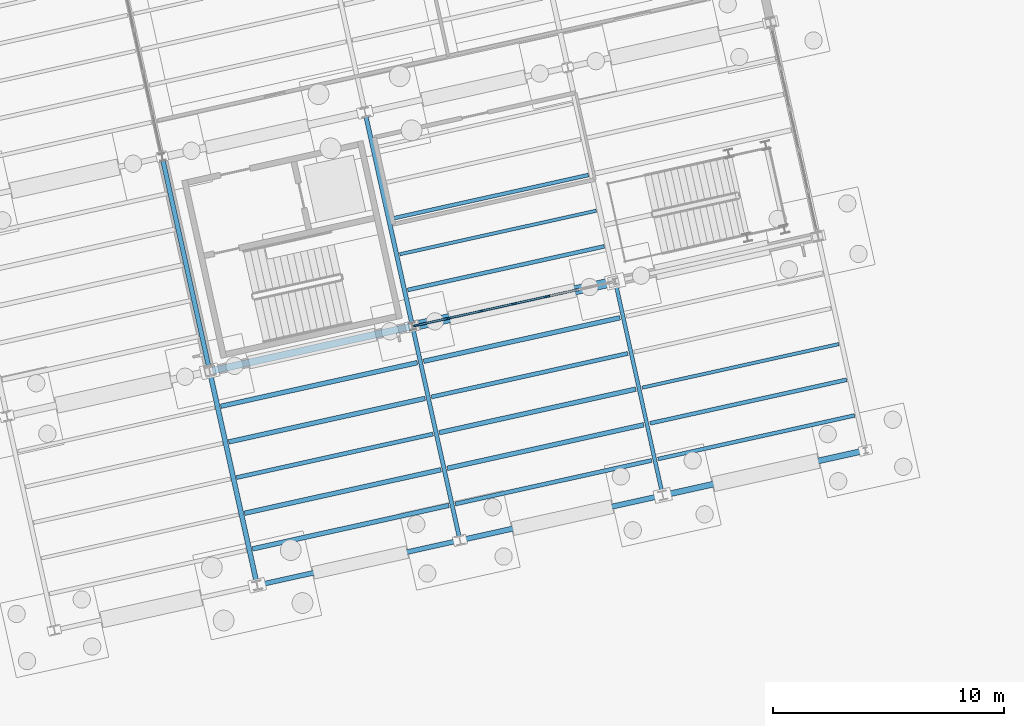
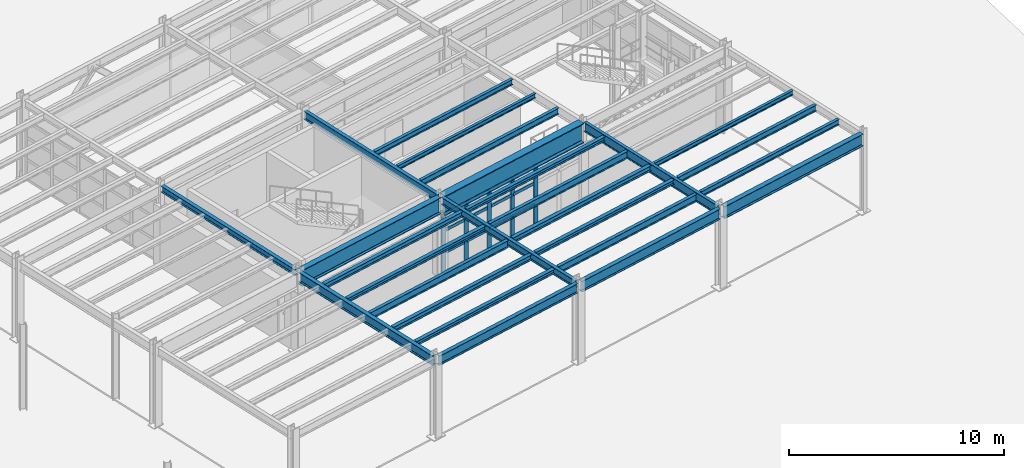
# One storey, part 57 of 108: 26 beams, 22 members, 1 element without a shape of its own.
"""IFC4 building model written with IfcOpenShell, lengths in metres."""

from ifc_helpers import new_model, si_unit, direction, frame, origin, origin_2d, place, context, subcontext, project, spatial, rectangle, i_section, extrude, material, layer, layer_set, material_profile, profile_set, type_object, element, aggregate, save


model = new_model("IFC4")

# Units and contexts
model_context = context("Model", 3, precision=1e-05, world=origin(), true_north=direction((0.0, 1.0)))
body_context = subcontext(model_context, "Body", "Model", "MODEL_VIEW")
ifc_project = project(units=[si_unit("LENGTHUNIT", "METRE"), si_unit("AREAUNIT", "SQUARE_METRE"), si_unit("VOLUMEUNIT", "CUBIC_METRE"), si_unit("PLANEANGLEUNIT", "RADIAN"), si_unit("MASSUNIT", "GRAM", prefix="KILO")], contexts=[model_context])

# Site, building, storey
site_placement = place(None, origin())
site = spatial("IfcSite", under=ifc_project, at=site_placement, CompositionType="ELEMENT")
building_placement = place(site_placement, origin())
building = spatial("IfcBuilding", under=site, at=building_placement, Name="Vireo Bluff Cable Station", CompositionType="ELEMENT")
storey_placement = place(building_placement, origin())
storey = spatial("IfcBuildingStorey", under=building, at=storey_placement, Name="L00", CompositionType="ELEMENT", Elevation=0.0)

# Beams
ifc_material_1 = material(Name="Steel ASTM A992 Gr. 50", Category="steel")
ifc_material_profile_1 = material_profile(ifc_material_1, i_section(OverallWidth=0.2041015625, OverallDepth=0.35009765625, WebThickness=0.008544921875, FlangeThickness=0.01513671875, FilletRadius=0.010009765625, at=origin_2d()), Name="W14X48")
ifc_profile_set_1 = profile_set([ifc_material_profile_1], Name="Steel ASTM A992 Gr. 50")
beam_type_1 = type_object("IfcBeamType", Name="BM-W14X48", PredefinedType="BEAM", material=ifc_profile_set_1)
beam_1_placement = place(storey_placement, frame((132.70458984375, 85.33984375, 4.364990234375), z_axis=(-0.216455863908, 0.976292404447, 0.0), x_axis=(-0.976292404447, -0.216455863908, 0.0)))
element("IfcBeam", 1, at=beam_1_placement, inside=storey, type_object=beam_type_1, Name="V2 L00 beam 376", PredefinedType="BEAM", context=body_context, shape_type="SweptSolid", body=[
    extrude(i_section(OverallWidth=0.2041015625, OverallDepth=0.35009765625, WebThickness=0.008544921875, FlangeThickness=0.01513671875, FilletRadius=0.010009765625, at=origin_2d()), origin(), (0.0, 0.0, 1.0), 9.260009765625),
])
ifc_material_profile_2 = material_profile(ifc_material_1, i_section(OverallWidth=0.180908203125, OverallDepth=0.4169921875, WebThickness=0.010986328125, FlangeThickness=0.018310546875, FilletRadius=0.010009765625, at=origin_2d()), Name="W16X57")
ifc_profile_set_2 = profile_set([ifc_material_profile_2], Name="Steel ASTM A992 Gr. 50")
beam_type_2 = type_object("IfcBeamType", Name="BM-W16X57", PredefinedType="BEAM", material=ifc_profile_set_2)
beam_2_placement = place(storey_placement, frame((143.54736328125, 78.01318359375, 4.33154296875), z_axis=(-0.216436305166, 0.976296740651, 0.0), x_axis=(-0.976296740651, -0.216436305166, 0.0)))
element("IfcBeam", 2, at=beam_2_placement, inside=storey, type_object=beam_type_2, Name="V2 L00 beam 378", PredefinedType="BEAM", context=body_context, shape_type="SweptSolid", body=[
    extrude(i_section(OverallWidth=0.180908203125, OverallDepth=0.4169921875, WebThickness=0.010986328125, FlangeThickness=0.018310546875, FilletRadius=0.010009765625, at=origin_2d()), origin(), (0.0, 0.0, 1.0), 9.259765625),
])
ifc_material_profile_3 = material_profile(ifc_material_1, i_section(OverallWidth=0.19091796875, OverallDepth=0.45703125, WebThickness=0.009033203125, FlangeThickness=0.014404296875, FilletRadius=0.011962890625, at=origin_2d()), Name="W18X50")
ifc_profile_set_3 = profile_set([ifc_material_profile_3], Name="Steel ASTM A992 Gr. 50")
beam_type_3 = type_object("IfcBeamType", Name="BM-W18X50", PredefinedType="BEAM", material=ifc_profile_set_3)
beam_3_placement = place(storey_placement, frame((141.4912109375, 87.287841796875, 4.3115234375), z_axis=(-0.216430734067, 0.976297975698, 0.0), x_axis=(-0.976297975698, -0.216430734067, 0.0)))
element("IfcBeam", 3, at=beam_3_placement, inside=storey, type_object=beam_type_3, Name="V2 L00 beam 379", PredefinedType="BEAM", context=body_context, shape_type="SweptSolid", body=[
    extrude(i_section(OverallWidth=0.19091796875, OverallDepth=0.45703125, WebThickness=0.009033203125, FlangeThickness=0.014404296875, FilletRadius=0.011962890625, at=origin_2d()), origin(), (0.0, 0.0, 1.0), 9.260009765625),
])
ifc_material_profile_4 = material_profile(ifc_material_1, i_section(OverallWidth=0.166015625, OverallDepth=0.528076171875, WebThickness=0.009765625, FlangeThickness=0.013671875, FilletRadius=0.012939453125, at=origin_2d()), Name="W21X50")
ifc_profile_set_4 = profile_set([ifc_material_profile_4], Name="Steel ASTM A992 Gr. 50")
beam_type_4 = type_object("IfcBeamType", Name="BM-W21X50", PredefinedType="BEAM", material=ifc_profile_set_4)
beam_4_placement = place(storey_placement, frame((152.333984375, 79.9609375, 4.27587890625), z_axis=(-0.216430734067, 0.976297975698, 0.0), x_axis=(-0.976297975698, -0.216430734067, 0.0)))
element("IfcBeam", 4, at=beam_4_placement, inside=storey, type_object=beam_type_4, Name="V2 L00 beam 381", PredefinedType="BEAM", context=body_context, shape_type="SweptSolid", body=[
    extrude(i_section(OverallWidth=0.166015625, OverallDepth=0.528076171875, WebThickness=0.009765625, FlangeThickness=0.013671875, FilletRadius=0.012939453125, at=origin_2d()), origin(), (0.0, 0.0, 1.0), 9.260009765625),
])
ifc_material_profile_5 = material_profile(ifc_material_1, i_section(OverallWidth=0.214111328125, OverallDepth=0.549072265625, WebThickness=0.0146484375, FlangeThickness=0.023681640625, FilletRadius=0.012939453125, at=origin_2d()), Name="W21X93")
ifc_profile_set_5 = profile_set([ifc_material_profile_5], Name="Steel ASTM A992 Gr. 50")
beam_type_5 = type_object("IfcBeamType", Name="BM-W21X93", PredefinedType="BEAM", material=ifc_profile_set_5)
beam_5_placement = place(storey_placement, frame((134.7607421875, 76.065185546875, 4.265380859375), z_axis=(-0.216455863908, 0.976292404447, 0.0), x_axis=(-0.976292404447, -0.216455863908, 0.0)))
element("IfcBeam", 5, at=beam_5_placement, inside=storey, type_object=beam_type_5, Name="V2 L00 beam 375", PredefinedType="BEAM", context=body_context, shape_type="SweptSolid", body=[
    extrude(i_section(OverallWidth=0.214111328125, OverallDepth=0.549072265625, WebThickness=0.0146484375, FlangeThickness=0.023681640625, FilletRadius=0.012939453125, at=origin_2d()), origin(), (0.0, 0.0, 1.0), 9.260009765625),
])

# Curtain wall, members
ifc_material_2 = material(Name="Anodized Aluminium 6063-T6", Category="aluminium")
ifc_layer = layer(ifc_material_2, 0.179931640625, Name="Anodized Aluminium 6063-T6")
ifc_layer_set = layer_set([ifc_layer], Name="Anodized Aluminium 6063-T6")
curtain_wall_type = type_object("IfcCurtainWallType", Name="CW-UNIT-1400", PredefinedType="USERDEFINED", material=ifc_layer_set)
curtain_wall_placement = place(storey_placement, origin())
curtain_wall = element("IfcCurtainWall", 6, at=curtain_wall_placement, inside=storey, type_object=curtain_wall_type, Name="V2 L00 south curtain wall CW-039", ObjectType="UNITISED CURTAIN WALL", PredefinedType="USERDEFINED")
ifc_material_profile_6 = material_profile(ifc_material_2, rectangle(XDim=0.080078125, YDim=0.239990234375, at=origin_2d()), Name="ALU-M-80X240")
ifc_profile_set_6 = profile_set([ifc_material_profile_6], Name="Anodized Aluminium 6063-T6")
member_type_1 = type_object("IfcMemberType", Name="CWM-04", PredefinedType="MULLION", material=ifc_profile_set_6)
member_1_placement = place(storey_placement, frame((147.34912109375, 88.463623046875, 0.0), z_axis=(0.0, 0.0, 1.0), x_axis=(0.216439605844, -0.976296008914, 0.0)))
member_1 = element("IfcMember", 7, at=member_1_placement, type_object=member_type_1, Name="CW-039 mullion 3", PredefinedType="MULLION", context=body_context, shape_type="SweptSolid", body=[
    extrude(rectangle(XDim=0.080078125, YDim=0.239990234375, at=origin_2d()), origin(), (0.0, 0.0, 1.0), 3.39990234375),
])
member_2_placement = place(storey_placement, frame((145.922607421875, 88.1474609375, 0.0), z_axis=(0.0, 0.0, 1.0), x_axis=(0.216439605844, -0.976296008914, 0.0)))
member_2 = element("IfcMember", 8, at=member_2_placement, type_object=member_type_1, Name="CW-039 mullion 4", PredefinedType="MULLION", context=body_context, shape_type="SweptSolid", body=[
    extrude(rectangle(XDim=0.080078125, YDim=0.239990234375, at=origin_2d()), origin(), (0.0, 0.0, 1.0), 3.39990234375),
])
member_3_placement = place(storey_placement, frame((144.49609375, 87.8310546875, 0.0), z_axis=(0.0, 0.0, 1.0), x_axis=(0.216439605844, -0.976296008914, 0.0)))
member_3 = element("IfcMember", 9, at=member_3_placement, type_object=member_type_1, Name="CW-039 mullion 5", PredefinedType="MULLION", context=body_context, shape_type="SweptSolid", body=[
    extrude(rectangle(XDim=0.080078125, YDim=0.239990234375, at=origin_2d()), origin(), (0.0, 0.0, 1.0), 3.39990234375),
])
member_4_placement = place(storey_placement, frame((143.069580078125, 87.514892578125, 0.0), z_axis=(0.0, 0.0, 1.0), x_axis=(0.216439605844, -0.976296008914, 0.0)))
member_4 = element("IfcMember", 10, at=member_4_placement, type_object=member_type_1, Name="CW-039 mullion 6", PredefinedType="MULLION", context=body_context, shape_type="SweptSolid", body=[
    extrude(rectangle(XDim=0.080078125, YDim=0.239990234375, at=origin_2d()), origin(), (0.0, 0.0, 1.0), 3.39990234375),
])
member_5_placement = place(storey_placement, frame((141.68212890625, 87.207275390625, 0.0), z_axis=(0.0, 0.0, 1.0), x_axis=(0.216439605844, -0.976296008914, 0.0)))
member_5 = element("IfcMember", 11, at=member_5_placement, type_object=member_type_1, Name="CW-039 mullion 7", PredefinedType="MULLION", context=body_context, shape_type="SweptSolid", body=[
    extrude(rectangle(XDim=0.080078125, YDim=0.239990234375, at=origin_2d()), origin(), (0.0, 0.0, 1.0), 3.39990234375),
])
ifc_material_profile_7 = material_profile(ifc_material_2, rectangle(XDim=0.080078125, YDim=0.175048828125, at=origin_2d()), Name="ALU-T-80X175")
ifc_profile_set_7 = profile_set([ifc_material_profile_7], Name="Anodized Aluminium 6063-T6")
member_type_2 = type_object("IfcMemberType", Name="CWT-04", PredefinedType="USERDEFINED", material=ifc_profile_set_7)
member_6_placement = place(storey_placement, frame((148.73681640625, 88.771240234375, 0.0400390625), z_axis=(-0.976319952444, -0.21633157527, 0.0), x_axis=(0.21633157527, -0.976319952444, 0.0)))
member_6 = element("IfcMember", 12, at=member_6_placement, type_object=member_type_2, Name="CW-039 transom 2.1", ObjectType="TRANSOM", PredefinedType="USERDEFINED", context=body_context, shape_type="SweptSolid", body=[
    extrude(rectangle(XDim=0.080078125, YDim=0.175048828125, at=origin_2d()), origin(), (0.0, 0.0, 1.0), 1.38134765625),
])
member_7_placement = place(storey_placement, frame((147.31005859375, 88.455078125, 0.0400390625), z_axis=(-0.976274323874, -0.216537397564, 0.0), x_axis=(0.216537397564, -0.976274323874, 0.0)))
member_7 = element("IfcMember", 13, at=member_7_placement, type_object=member_type_2, Name="CW-039 transom 3.1", ObjectType="TRANSOM", PredefinedType="USERDEFINED", context=body_context, shape_type="SweptSolid", body=[
    extrude(rectangle(XDim=0.080078125, YDim=0.175048828125, at=origin_2d()), origin(), (0.0, 0.0, 1.0), 1.381103515625),
])
member_8_placement = place(storey_placement, frame((147.31005859375, 88.455078125, 1.18994140625), z_axis=(-0.976274323874, -0.216537397564, 0.0), x_axis=(0.216537397564, -0.976274323874, 0.0)))
member_8 = element("IfcMember", 14, at=member_8_placement, type_object=member_type_2, Name="CW-039 transom 3.2", ObjectType="TRANSOM", PredefinedType="USERDEFINED", context=body_context, shape_type="SweptSolid", body=[
    extrude(rectangle(XDim=0.080078125, YDim=0.175048828125, at=origin_2d()), origin(), (0.0, 0.0, 1.0), 1.381103515625),
])
member_9_placement = place(storey_placement, frame((147.31005859375, 88.455078125, 2.447998046875), z_axis=(-0.976274323874, -0.216537397564, 0.0), x_axis=(0.216537397564, -0.976274323874, 0.0)))
member_9 = element("IfcMember", 15, at=member_9_placement, type_object=member_type_2, Name="CW-039 transom 3.3", ObjectType="TRANSOM", PredefinedType="USERDEFINED", context=body_context, shape_type="SweptSolid", body=[
    extrude(rectangle(XDim=0.080078125, YDim=0.175048828125, at=origin_2d()), origin(), (0.0, 0.0, 1.0), 1.381103515625),
])
member_10_placement = place(storey_placement, frame((147.31005859375, 88.455078125, 3.360107421875), z_axis=(-0.976274323874, -0.216537397564, 0.0), x_axis=(0.216537397564, -0.976274323874, 0.0)))
member_10 = element("IfcMember", 16, at=member_10_placement, type_object=member_type_2, Name="CW-039 transom 3.4", ObjectType="TRANSOM", PredefinedType="USERDEFINED", context=body_context, shape_type="SweptSolid", body=[
    extrude(rectangle(XDim=0.080078125, YDim=0.175048828125, at=origin_2d()), origin(), (0.0, 0.0, 1.0), 1.381103515625),
])
member_11_placement = place(storey_placement, frame((145.883544921875, 88.138671875, 0.0400390625), z_axis=(-0.976311678916, -0.216368910917, 0.0), x_axis=(0.216368910917, -0.976311678916, 0.0)))
member_11 = element("IfcMember", 17, at=member_11_placement, type_object=member_type_2, Name="CW-039 transom 4.1", ObjectType="TRANSOM", PredefinedType="USERDEFINED", context=body_context, shape_type="SweptSolid", body=[
    extrude(rectangle(XDim=0.080078125, YDim=0.175048828125, at=origin_2d()), origin(), (0.0, 0.0, 1.0), 1.381103515625),
])
member_12_placement = place(storey_placement, frame((145.883544921875, 88.138671875, 1.18994140625), z_axis=(-0.976311678916, -0.216368910917, 0.0), x_axis=(0.216368910917, -0.976311678916, 0.0)))
member_12 = element("IfcMember", 18, at=member_12_placement, type_object=member_type_2, Name="CW-039 transom 4.2", ObjectType="TRANSOM", PredefinedType="USERDEFINED", context=body_context, shape_type="SweptSolid", body=[
    extrude(rectangle(XDim=0.080078125, YDim=0.175048828125, at=origin_2d()), origin(), (0.0, 0.0, 1.0), 1.381103515625),
])
member_13_placement = place(storey_placement, frame((145.883544921875, 88.138671875, 2.447998046875), z_axis=(-0.976311678916, -0.216368910917, 0.0), x_axis=(0.216368910917, -0.976311678916, 0.0)))
member_13 = element("IfcMember", 19, at=member_13_placement, type_object=member_type_2, Name="CW-039 transom 4.3", ObjectType="TRANSOM", PredefinedType="USERDEFINED", context=body_context, shape_type="SweptSolid", body=[
    extrude(rectangle(XDim=0.080078125, YDim=0.175048828125, at=origin_2d()), origin(), (0.0, 0.0, 1.0), 1.381103515625),
])
member_14_placement = place(storey_placement, frame((145.883544921875, 88.138671875, 3.360107421875), z_axis=(-0.976311678916, -0.216368910917, 0.0), x_axis=(0.216368910917, -0.976311678916, 0.0)))
member_14 = element("IfcMember", 20, at=member_14_placement, type_object=member_type_2, Name="CW-039 transom 4.4", ObjectType="TRANSOM", PredefinedType="USERDEFINED", context=body_context, shape_type="SweptSolid", body=[
    extrude(rectangle(XDim=0.080078125, YDim=0.175048828125, at=origin_2d()), origin(), (0.0, 0.0, 1.0), 1.381103515625),
])
member_15_placement = place(storey_placement, frame((144.45703125, 87.822509765625, 0.0400390625), z_axis=(-0.976274323874, -0.216537397564, 0.0), x_axis=(0.216537397564, -0.976274323874, 0.0)))
member_15 = element("IfcMember", 21, at=member_15_placement, type_object=member_type_2, Name="CW-039 transom 5.1", ObjectType="TRANSOM", PredefinedType="USERDEFINED", context=body_context, shape_type="SweptSolid", body=[
    extrude(rectangle(XDim=0.080078125, YDim=0.175048828125, at=origin_2d()), origin(), (0.0, 0.0, 1.0), 1.381103515625),
])
member_16_placement = place(storey_placement, frame((144.45703125, 87.822509765625, 1.18994140625), z_axis=(-0.976274323874, -0.216537397564, 0.0), x_axis=(0.216537397564, -0.976274323874, 0.0)))
member_16 = element("IfcMember", 22, at=member_16_placement, type_object=member_type_2, Name="CW-039 transom 5.2", ObjectType="TRANSOM", PredefinedType="USERDEFINED", context=body_context, shape_type="SweptSolid", body=[
    extrude(rectangle(XDim=0.080078125, YDim=0.175048828125, at=origin_2d()), origin(), (0.0, 0.0, 1.0), 1.381103515625),
])
member_17_placement = place(storey_placement, frame((144.45703125, 87.822509765625, 2.447998046875), z_axis=(-0.976274323874, -0.216537397564, 0.0), x_axis=(0.216537397564, -0.976274323874, 0.0)))
member_17 = element("IfcMember", 23, at=member_17_placement, type_object=member_type_2, Name="CW-039 transom 5.3", ObjectType="TRANSOM", PredefinedType="USERDEFINED", context=body_context, shape_type="SweptSolid", body=[
    extrude(rectangle(XDim=0.080078125, YDim=0.175048828125, at=origin_2d()), origin(), (0.0, 0.0, 1.0), 1.381103515625),
])
member_18_placement = place(storey_placement, frame((144.45703125, 87.822509765625, 3.360107421875), z_axis=(-0.976274323874, -0.216537397564, 0.0), x_axis=(0.216537397564, -0.976274323874, 0.0)))
member_18 = element("IfcMember", 24, at=member_18_placement, type_object=member_type_2, Name="CW-039 transom 5.4", ObjectType="TRANSOM", PredefinedType="USERDEFINED", context=body_context, shape_type="SweptSolid", body=[
    extrude(rectangle(XDim=0.080078125, YDim=0.175048828125, at=origin_2d()), origin(), (0.0, 0.0, 1.0), 1.381103515625),
])
member_19_placement = place(storey_placement, frame((143.030517578125, 87.50634765625, 0.0400390625), z_axis=(-0.976294025083, -0.216448554135, 0.0), x_axis=(0.216448554135, -0.976294025083, 0.0)))
member_19 = element("IfcMember", 25, at=member_19_placement, type_object=member_type_2, Name="CW-039 transom 6.1", ObjectType="TRANSOM", PredefinedType="USERDEFINED", context=body_context, shape_type="SweptSolid", body=[
    extrude(rectangle(XDim=0.080078125, YDim=0.175048828125, at=origin_2d()), origin(), (0.0, 0.0, 1.0), 1.341064453125),
])
member_20_placement = place(storey_placement, frame((143.030517578125, 87.50634765625, 1.18994140625), z_axis=(-0.976294025083, -0.216448554135, 0.0), x_axis=(0.216448554135, -0.976294025083, 0.0)))
member_20 = element("IfcMember", 26, at=member_20_placement, type_object=member_type_2, Name="CW-039 transom 6.2", ObjectType="TRANSOM", PredefinedType="USERDEFINED", context=body_context, shape_type="SweptSolid", body=[
    extrude(rectangle(XDim=0.080078125, YDim=0.175048828125, at=origin_2d()), origin(), (0.0, 0.0, 1.0), 1.341064453125),
])
member_21_placement = place(storey_placement, frame((143.030517578125, 87.50634765625, 2.447998046875), z_axis=(-0.976294025083, -0.216448554135, 0.0), x_axis=(0.216448554135, -0.976294025083, 0.0)))
member_21 = element("IfcMember", 27, at=member_21_placement, type_object=member_type_2, Name="CW-039 transom 6.3", ObjectType="TRANSOM", PredefinedType="USERDEFINED", context=body_context, shape_type="SweptSolid", body=[
    extrude(rectangle(XDim=0.080078125, YDim=0.175048828125, at=origin_2d()), origin(), (0.0, 0.0, 1.0), 1.341064453125),
])
member_22_placement = place(storey_placement, frame((143.030517578125, 87.50634765625, 3.360107421875), z_axis=(-0.976294025083, -0.216448554135, 0.0), x_axis=(0.216448554135, -0.976294025083, 0.0)))
member_22 = element("IfcMember", 28, at=member_22_placement, type_object=member_type_2, Name="CW-039 transom 6.4", ObjectType="TRANSOM", PredefinedType="USERDEFINED", context=body_context, shape_type="SweptSolid", body=[
    extrude(rectangle(XDim=0.080078125, YDim=0.175048828125, at=origin_2d()), origin(), (0.0, 0.0, 1.0), 1.341064453125),
])
aggregate(curtain_wall, [member_1, member_2, member_3, member_4, member_5, member_6, member_7, member_8, member_9, member_10, member_11, member_12, member_13, member_14, member_15, member_16, member_17, member_18, member_19, member_20, member_21, member_22])

# Beams
ifc_material_profile_8 = material_profile(ifc_material_1, i_section(OverallWidth=0.306884765625, OverallDepth=0.927001953125, WebThickness=0.019287109375, FlangeThickness=0.031982421875, FilletRadius=0.02001953125, at=origin_2d()), Name="W36X194")
ifc_profile_set_8 = profile_set([ifc_material_profile_8], Name="Steel ASTM A992 Gr. 50")
beam_type_6 = type_object("IfcBeamType", Name="GIR-W36X194", PredefinedType="USERDEFINED", material=ifc_profile_set_8)
beam_6_placement = place(storey_placement, frame((132.84765625, 85.248779296875, 4.076416015625), z_axis=(0.976295795297, 0.216440569406, 0.0), x_axis=(-0.216440569406, 0.976295795297, 0.0)))
element("IfcBeam", 29, at=beam_6_placement, inside=storey, type_object=beam_type_6, Name="V2 L00 girder 361", ObjectType="GIRDER", PredefinedType="USERDEFINED", context=body_context, shape_type="SweptSolid", body=[
    extrude(i_section(OverallWidth=0.306884765625, OverallDepth=0.927001953125, WebThickness=0.019287109375, FlangeThickness=0.031982421875, FilletRadius=0.02001953125, at=origin_2d()), origin(), (0.0, 0.0, 1.0), 8.760009765625),
])
ifc_material_profile_9 = material_profile(ifc_material_1, i_section(OverallWidth=0.404052734375, OverallDepth=1.117919921875, WebThickness=0.026123046875, FlangeThickness=0.044921875, FilletRadius=0.02197265625, at=origin_2d()), Name="W44X335")
ifc_profile_set_9 = profile_set([ifc_material_profile_9], Name="Steel ASTM A992 Gr. 50")
beam_type_7 = type_object("IfcBeamType", Name="GIR-W44X335", PredefinedType="USERDEFINED", material=ifc_profile_set_9)
beam_7_placement = place(storey_placement, frame((141.63427734375, 87.19677734375, 3.98095703125), z_axis=(0.97629710087, 0.216434680293, 0.0), x_axis=(-0.216434680293, 0.97629710087, 0.0)))
element("IfcBeam", 30, at=beam_7_placement, inside=storey, type_object=beam_type_7, Name="V2 L00 girder 362", ObjectType="GIRDER", PredefinedType="USERDEFINED", context=body_context, shape_type="SweptSolid", body=[
    extrude(i_section(OverallWidth=0.404052734375, OverallDepth=1.117919921875, WebThickness=0.026123046875, FlangeThickness=0.044921875, FilletRadius=0.02197265625, at=origin_2d()), origin(), (0.0, 0.0, 1.0), 8.760009765625),
])
ifc_material_profile_10 = material_profile(ifc_material_1, i_section(OverallWidth=0.14599609375, OverallDepth=0.259033203125, WebThickness=0.006103515625, FlangeThickness=0.009033203125, FilletRadius=0.009033203125, at=origin_2d()), Name="W10X22")
ifc_profile_set_10 = profile_set([ifc_material_profile_10], Name="Steel ASTM A992 Gr. 50")
beam_type_8 = type_object("IfcBeamType", Name="JST-W10X22", PredefinedType="JOIST", material=ifc_profile_set_10)
beam_8_placement = place(storey_placement, frame((140.968505859375, 90.292724609375, 4.410400390625), z_axis=(0.976298923088, 0.216426460438, 0.0), x_axis=(-0.216426460438, 0.976298923088, 0.0)))
element("IfcBeam", 31, at=beam_8_placement, inside=storey, type_object=beam_type_8, Name="V2 L00 composite joist 418", PredefinedType="JOIST", context=body_context, shape_type="SweptSolid", body=[
    extrude(i_section(OverallWidth=0.14599609375, OverallDepth=0.259033203125, WebThickness=0.006103515625, FlangeThickness=0.009033203125, FilletRadius=0.009033203125, at=origin_2d()), origin(), (0.0, 0.0, 1.0), 8.719970703125),
])
beam_9_placement = place(storey_placement, frame((151.468505859375, 84.511474609375, 4.410400390625), z_axis=(0.976294318526, 0.216447230551, 0.0), x_axis=(-0.216447230551, 0.976294318526, 0.0)))
element("IfcBeam", 32, at=beam_9_placement, inside=storey, type_object=beam_type_8, Name="V2 L00 composite joist 429", PredefinedType="JOIST", context=body_context, shape_type="SweptSolid", body=[
    extrude(i_section(OverallWidth=0.14599609375, OverallDepth=0.259033203125, WebThickness=0.006103515625, FlangeThickness=0.009033203125, FilletRadius=0.009033203125, at=origin_2d()), origin(), (0.0, 0.0, 1.0), 8.72021484375),
])
ifc_material_profile_11 = material_profile(ifc_material_1, i_section(OverallWidth=0.201904296875, OverallDepth=0.2470703125, WebThickness=0.00732421875, FlangeThickness=0.010986328125, FilletRadius=0.009033203125, at=origin_2d()), Name="W10X33")
ifc_profile_set_11 = profile_set([ifc_material_profile_11], Name="Steel ASTM A992 Gr. 50")
beam_type_9 = type_object("IfcBeamType", Name="JST-W10X33", PredefinedType="JOIST", material=ifc_profile_set_11)
beam_10_placement = place(storey_placement, frame((134.58056640625, 77.524169921875, 4.41650390625), z_axis=(0.976300234484, 0.216420544652, 0.0), x_axis=(-0.216420544652, 0.976300234484, 0.0)))
element("IfcBeam", 33, at=beam_10_placement, inside=storey, type_object=beam_type_9, Name="V2 L00 composite joist 402", PredefinedType="JOIST", context=body_context, shape_type="SweptSolid", body=[
    extrude(i_section(OverallWidth=0.201904296875, OverallDepth=0.2470703125, WebThickness=0.00732421875, FlangeThickness=0.010986328125, FilletRadius=0.009033203125, at=origin_2d()), origin(), (0.0, 0.0, 1.0), 8.719970703125),
])
beam_11_placement = place(storey_placement, frame((133.552490234375, 82.161376953125, 4.41650390625), z_axis=(0.976294318526, 0.216447230551, 0.0), x_axis=(-0.216447230551, 0.976294318526, 0.0)))
element("IfcBeam", 34, at=beam_11_placement, inside=storey, type_object=beam_type_9, Name="V2 L00 composite joist 405", PredefinedType="JOIST", context=body_context, shape_type="SweptSolid", body=[
    extrude(i_section(OverallWidth=0.201904296875, OverallDepth=0.2470703125, WebThickness=0.00732421875, FlangeThickness=0.010986328125, FilletRadius=0.009033203125, at=origin_2d()), origin(), (0.0, 0.0, 1.0), 8.72021484375),
])
for number, where, z_axis, x_axis, name in (
    (35, (143.024658203125, 81.017822265625, 4.41650390625), (0.976293006815, 0.216453146994, 0.0), (-0.216453146994, 0.976293006815, 0.0), "V2 L00 composite joist 413"),
    (36, (141.99658203125, 85.6552734375, 4.41650390625), (0.976298923088, 0.216426460438, 0.0), (-0.216426460438, 0.976298923088, 0.0), "V2 L00 composite joist 416"),
):
    element("IfcBeam", number, at=place(storey_placement, frame(where, z_axis=z_axis, x_axis=x_axis)), inside=storey, type_object=beam_type_9, Name=name, PredefinedType="JOIST", context=body_context, shape_type="SweptSolid", body=[
        extrude(i_section(OverallWidth=0.201904296875, OverallDepth=0.2470703125, WebThickness=0.00732421875, FlangeThickness=0.010986328125, FilletRadius=0.009033203125, at=origin_2d()), origin(), (0.0, 0.0, 1.0), 8.719970703125),
    ])
ifc_material_profile_12 = material_profile(ifc_material_1, i_section(OverallWidth=0.1650390625, OverallDepth=0.31005859375, WebThickness=0.005859375, FlangeThickness=0.009765625, FilletRadius=0.010009765625, at=origin_2d()), Name="W12X26")
ifc_profile_set_12 = profile_set([ifc_material_profile_12], Name="Steel ASTM A992 Gr. 50")
beam_type_10 = type_object("IfcBeamType", Name="JST-W12X26", PredefinedType="JOIST", material=ifc_profile_set_12)
beam_12_placement = place(storey_placement, frame((140.625732421875, 91.83837890625, 4.385009765625), z_axis=(0.976294318526, 0.216447230551, 0.0), x_axis=(-0.216447230551, 0.976294318526, 0.0)))
element("IfcBeam", 37, at=beam_12_placement, inside=storey, type_object=beam_type_10, Name="V2 L00 composite joist 419", PredefinedType="JOIST", context=body_context, shape_type="SweptSolid", body=[
    extrude(i_section(OverallWidth=0.1650390625, OverallDepth=0.31005859375, WebThickness=0.005859375, FlangeThickness=0.009765625, FilletRadius=0.010009765625, at=origin_2d()), origin(), (0.0, 0.0, 1.0), 8.72021484375),
])
beam_13_placement = place(storey_placement, frame((152.154052734375, 81.419921875, 4.385009765625), z_axis=(0.976293006815, 0.216453146994, 0.0), x_axis=(-0.216453146994, 0.976293006815, 0.0)))
element("IfcBeam", 38, at=beam_13_placement, inside=storey, type_object=beam_type_10, Name="V2 L00 composite joist 427", PredefinedType="JOIST", context=body_context, shape_type="SweptSolid", body=[
    extrude(i_section(OverallWidth=0.1650390625, OverallDepth=0.31005859375, WebThickness=0.005859375, FlangeThickness=0.009765625, FilletRadius=0.010009765625, at=origin_2d()), origin(), (0.0, 0.0, 1.0), 8.719970703125),
])
ifc_material_profile_13 = material_profile(ifc_material_1, i_section(OverallWidth=0.202880859375, OverallDepth=0.302978515625, WebThickness=0.007568359375, FlangeThickness=0.01318359375, FilletRadius=0.010009765625, at=origin_2d()), Name="W12X40")
ifc_profile_set_13 = profile_set([ifc_material_profile_13], Name="Steel ASTM A992 Gr. 50")
beam_type_11 = type_object("IfcBeamType", Name="JST-W12X40", PredefinedType="JOIST", material=ifc_profile_set_13)
for number, where, z_axis, x_axis, name in (
    (39, (134.238037109375, 79.06982421875, 4.388427734375), (0.976293006815, 0.216453146994, 0.0), (-0.216453146994, 0.976293006815, 0.0), "V2 L00 composite joist 403"),
    (40, (133.2099609375, 83.707275390625, 4.388427734375), (0.976293006815, 0.216453146994, 0.0), (-0.216453146994, 0.976293006815, 0.0), "V2 L00 composite joist 406"),
    (41, (142.681884765625, 82.563720703125, 4.388427734375), (0.976300234484, 0.216420544652, 0.0), (-0.216420544652, 0.976300234484, 0.0), "V2 L00 composite joist 414"),
):
    element("IfcBeam", number, at=place(storey_placement, frame(where, z_axis=z_axis, x_axis=x_axis)), inside=storey, type_object=beam_type_11, Name=name, PredefinedType="JOIST", context=body_context, shape_type="SweptSolid", body=[
        extrude(i_section(OverallWidth=0.202880859375, OverallDepth=0.302978515625, WebThickness=0.007568359375, FlangeThickness=0.01318359375, FilletRadius=0.010009765625, at=origin_2d()), origin(), (0.0, 0.0, 1.0), 8.719970703125),
    ])
ifc_material_profile_14 = material_profile(ifc_material_1, i_section(OverallWidth=0.1708984375, OverallDepth=0.35107421875, WebThickness=0.0068359375, FlangeThickness=0.009765625, FilletRadius=0.010009765625, at=origin_2d()), Name="W14X30")
ifc_profile_set_14 = profile_set([ifc_material_profile_14], Name="Steel ASTM A992 Gr. 50")
beam_type_12 = type_object("IfcBeamType", Name="JST-W14X30", PredefinedType="JOIST", material=ifc_profile_set_14)
beam_14_placement = place(storey_placement, frame((141.31103515625, 88.746826171875, 4.364501953125), z_axis=(0.976294318526, 0.216447230551, 0.0), x_axis=(-0.216447230551, 0.976294318526, 0.0)))
element("IfcBeam", 42, at=beam_14_placement, inside=storey, type_object=beam_type_12, Name="V2 L00 composite joist 417", PredefinedType="JOIST", context=body_context, shape_type="SweptSolid", body=[
    extrude(i_section(OverallWidth=0.1708984375, OverallDepth=0.35107421875, WebThickness=0.0068359375, FlangeThickness=0.009765625, FilletRadius=0.010009765625, at=origin_2d()), origin(), (0.0, 0.0, 1.0), 8.72021484375),
])
beam_15_placement = place(storey_placement, frame((151.811279296875, 82.9658203125, 4.364501953125), z_axis=(0.976298923088, 0.216426460438, 0.0), x_axis=(-0.216426460438, 0.976298923088, 0.0)))
element("IfcBeam", 43, at=beam_15_placement, inside=storey, type_object=beam_type_12, Name="V2 L00 composite joist 428", PredefinedType="JOIST", context=body_context, shape_type="SweptSolid", body=[
    extrude(i_section(OverallWidth=0.1708984375, OverallDepth=0.35107421875, WebThickness=0.0068359375, FlangeThickness=0.009765625, FilletRadius=0.010009765625, at=origin_2d()), origin(), (0.0, 0.0, 1.0), 8.719970703125),
])
ifc_material_profile_15 = material_profile(ifc_material_1, i_section(OverallWidth=0.177978515625, OverallDepth=0.404052734375, WebThickness=0.007568359375, FlangeThickness=0.010986328125, FilletRadius=0.010009765625, at=origin_2d()), Name="W16X36")
ifc_profile_set_15 = profile_set([ifc_material_profile_15], Name="Steel ASTM A992 Gr. 50")
beam_type_13 = type_object("IfcBeamType", Name="JST-W16X36", PredefinedType="JOIST", material=ifc_profile_set_15)
for number, where, z_axis, x_axis, name in (
    (44, (133.895263671875, 80.61572265625, 4.337890625), (0.976298923088, 0.216426460438, 0.0), (-0.216426460438, 0.976298923088, 0.0), "V2 L00 composite joist 404"),
    (45, (143.367431640625, 79.471923828125, 4.337890625), (0.976293006815, 0.216453146994, 0.0), (-0.216453146994, 0.976293006815, 0.0), "V2 L00 composite joist 412"),
):
    element("IfcBeam", number, at=place(storey_placement, frame(where, z_axis=z_axis, x_axis=x_axis)), inside=storey, type_object=beam_type_13, Name=name, PredefinedType="JOIST", context=body_context, shape_type="SweptSolid", body=[
        extrude(i_section(OverallWidth=0.177978515625, OverallDepth=0.404052734375, WebThickness=0.007568359375, FlangeThickness=0.010986328125, FilletRadius=0.010009765625, at=origin_2d()), origin(), (0.0, 0.0, 1.0), 8.719970703125),
    ])
beam_16_placement = place(storey_placement, frame((142.339111328125, 84.109375, 4.337890625), z_axis=(0.976294318526, 0.216447230551, 0.0), x_axis=(-0.216447230551, 0.976294318526, 0.0)))
element("IfcBeam", 46, at=beam_16_placement, inside=storey, type_object=beam_type_13, Name="V2 L00 composite joist 415", PredefinedType="JOIST", context=body_context, shape_type="SweptSolid", body=[
    extrude(i_section(OverallWidth=0.177978515625, OverallDepth=0.404052734375, WebThickness=0.007568359375, FlangeThickness=0.010986328125, FilletRadius=0.010009765625, at=origin_2d()), origin(), (0.0, 0.0, 1.0), 8.72021484375),
])
ifc_material_profile_16 = material_profile(ifc_material_1, i_section(OverallWidth=0.2099609375, OverallDepth=0.535888671875, WebThickness=0.010986328125, FlangeThickness=0.017333984375, FilletRadius=0.012939453125, at=origin_2d()), Name="W21X68")
ifc_profile_set_16 = profile_set([ifc_material_profile_16], Name="Steel ASTM A992 Gr. 50")
beam_type_14 = type_object("IfcBeamType", Name="SPN-W21X68", PredefinedType="SPANDREL", material=ifc_profile_set_16)
beam_17_placement = place(storey_placement, frame((134.90380859375, 75.973876953125, 4.27197265625), z_axis=(0.976295795297, 0.216440569406, 0.0), x_axis=(-0.216440569406, 0.976295795297, 0.0)))
element("IfcBeam", 47, at=beam_17_placement, inside=storey, type_object=beam_type_14, Name="V2 L00 spandrel 357", PredefinedType="SPANDREL", context=body_context, shape_type="SweptSolid", body=[
    extrude(i_section(OverallWidth=0.2099609375, OverallDepth=0.535888671875, WebThickness=0.010986328125, FlangeThickness=0.017333984375, FilletRadius=0.012939453125, at=origin_2d()), origin(), (0.0, 0.0, 1.0), 8.760009765625),
])
ifc_material_profile_17 = material_profile(ifc_material_1, i_section(OverallWidth=0.22802734375, OverallDepth=0.60693359375, WebThickness=0.01123046875, FlangeThickness=0.017333984375, FilletRadius=0.012939453125, at=origin_2d()), Name="W24X76")
ifc_profile_set_17 = profile_set([ifc_material_profile_17], Name="Steel ASTM A992 Gr. 50")
beam_type_15 = type_object("IfcBeamType", Name="SPN-W24X76", PredefinedType="SPANDREL", material=ifc_profile_set_17)
beam_18_placement = place(storey_placement, frame((143.6904296875, 77.921875, 4.236572265625), z_axis=(0.97629710087, 0.216434680293, 0.0), x_axis=(-0.216434680293, 0.97629710087, 0.0)))
element("IfcBeam", 48, at=beam_18_placement, inside=storey, type_object=beam_type_15, Name="V2 L00 spandrel 358", PredefinedType="SPANDREL", context=body_context, shape_type="SweptSolid", body=[
    extrude(i_section(OverallWidth=0.22802734375, OverallDepth=0.60693359375, WebThickness=0.01123046875, FlangeThickness=0.017333984375, FilletRadius=0.012939453125, at=origin_2d()), origin(), (0.0, 0.0, 1.0), 8.760009765625),
])
ifc_material_profile_18 = material_profile(ifc_material_1, i_section(OverallWidth=0.257080078125, OverallDepth=0.693115234375, WebThickness=0.014404296875, FlangeThickness=0.023681640625, FilletRadius=0.014892578125, at=origin_2d()), Name="W27X114")
ifc_profile_set_18 = profile_set([ifc_material_profile_18], Name="Steel ASTM A992 Gr. 50")
beam_type_16 = type_object("IfcBeamType", Name="SPN-W27X114", PredefinedType="SPANDREL", material=ifc_profile_set_18)
beam_19_placement = place(storey_placement, frame((152.47705078125, 79.869873046875, 4.193603515625), z_axis=(0.97629710087, 0.216434680293, 0.0), x_axis=(-0.216434680293, 0.97629710087, 0.0)))
element("IfcBeam", 49, at=beam_19_placement, inside=storey, type_object=beam_type_16, Name="V2 L00 spandrel 359", PredefinedType="SPANDREL", context=body_context, shape_type="SweptSolid", body=[
    extrude(i_section(OverallWidth=0.257080078125, OverallDepth=0.693115234375, WebThickness=0.014404296875, FlangeThickness=0.023681640625, FilletRadius=0.014892578125, at=origin_2d()), origin(), (0.0, 0.0, 1.0), 8.760009765625),
])

save(model, "model.ifc")
